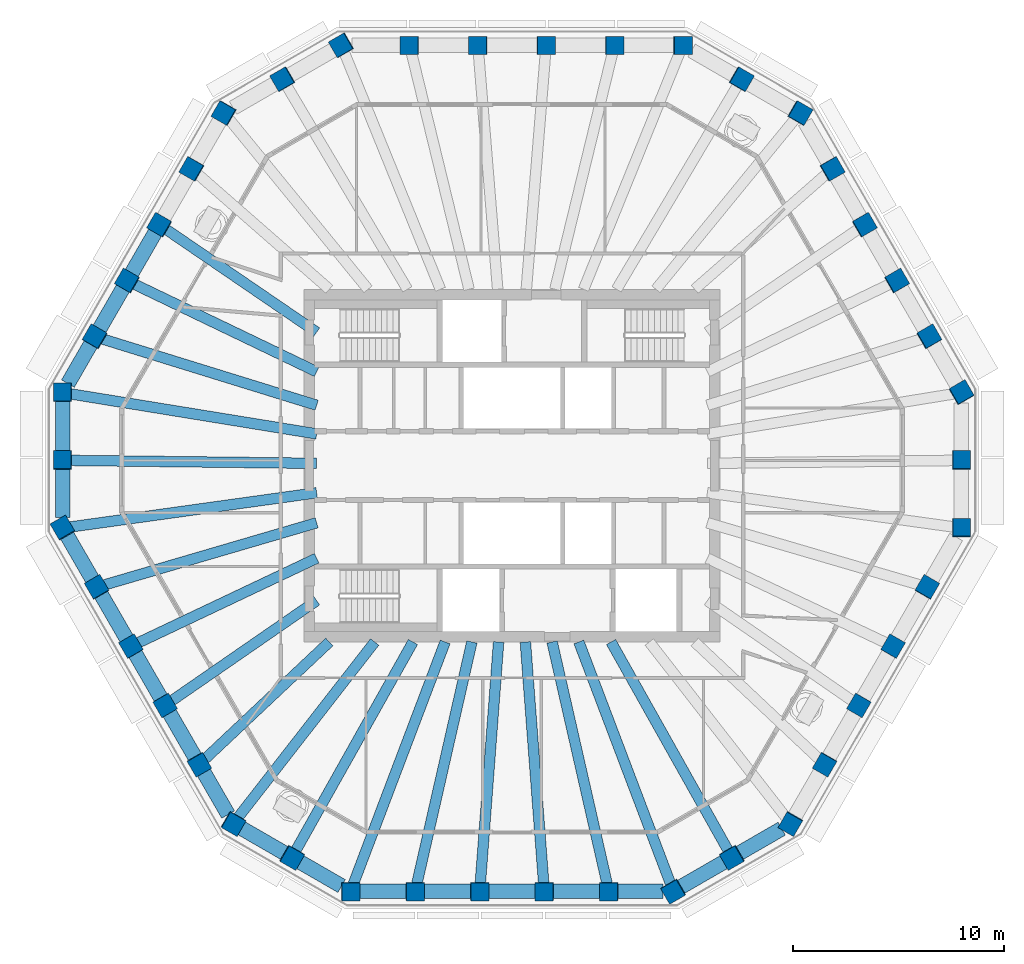
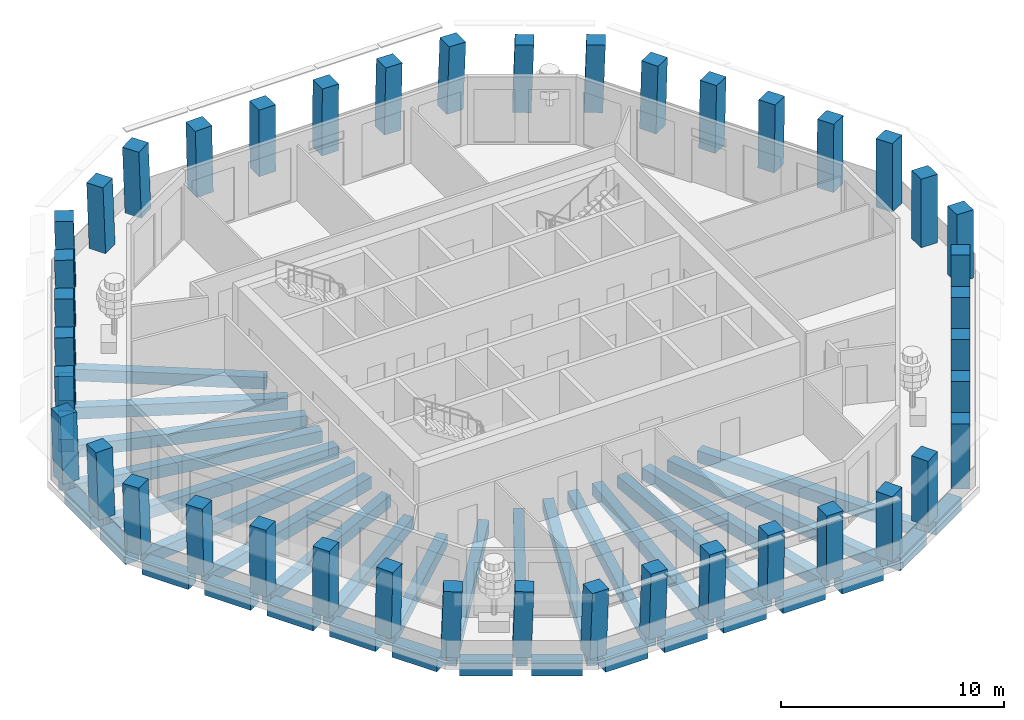
# One storey, part 1 of 11: 42 columns, 38 beams.
"""IFC4 building model written with IfcOpenShell, lengths in metres."""

import ifcopenshell
import ifcopenshell.guid

model = None  # the IFC model being written
_history = None  # IfcOwnerHistory: only IFC2X3 demands one
_inside = {}  # id of a spatial element -> (the spatial element, [elements in it])
_under = {}  # id of a project, library or spatial element -> (it, [spatial elements below it])
_declared = {}  # id of a project -> (the project, [libraries it declares])
_typed = {}  # id of a type object -> (the type object, [elements of that type])
_made_of = {}  # id of a material, layer set ... -> (it, [elements and type objects made of it])


def new_model(schema):
    """Start an empty IFC model of exactly this schema.

    Asked for "IFC4X3", IfcOpenShell would pick the latest addendum, in which some entities
    have other attributes; the version numbers below select the first issue.
    IFC2X3 requires an IfcOwnerHistory on every rooted entity: one is made here for all.
    """
    global model, _history
    if schema == "IFC4X3":
        model = ifcopenshell.file(schema_version=(4, 3, 0, 0))
    else:
        model = ifcopenshell.file(schema=schema)
    _inside.clear()
    _under.clear()
    _declared.clear()
    _typed.clear()
    _made_of.clear()
    _history = None
    if model.schema == "IFC2X3":
        org = make("IfcOrganization", Name="unknown")
        user = make(
            "IfcPersonAndOrganization",
            ThePerson=make("IfcPerson", FamilyName="unknown"),
            TheOrganization=org,
        )
        app = make(
            "IfcApplication",
            ApplicationDeveloper=org,
            Version="unknown",
            ApplicationFullName="unknown",
            ApplicationIdentifier="unknown",
        )
        _history = make(
            "IfcOwnerHistory",
            OwningUser=user,
            OwningApplication=app,
            ChangeAction="ADDED",
            CreationDate=0,
        )
    return model


def make(cls, **values):
    """One entity of the class cls with the attributes given. An attribute that is None is left unset."""
    return model.create_entity(
        cls, **{name: value for name, value in values.items() if value is not None}
    )


def rooted(cls, **values):
    """An entity with a GlobalId (a new one), such as an element, a storey or a relation."""
    return make(cls, GlobalId=ifcopenshell.guid.new(), OwnerHistory=_history, **values)


def si_unit(unit_type, name, prefix=None):
    """IfcSIUnit, for example si_unit("LENGTHUNIT", "METRE", prefix="MILLI")."""
    return make("IfcSIUnit", UnitType=unit_type, Prefix=prefix, Name=name)


def assignment(units):
    """IfcUnitAssignment: the units of a project."""
    return None if units is None else make("IfcUnitAssignment", Units=units)


def point(xyz):
    """IfcCartesianPoint."""
    return None if xyz is None else make("IfcCartesianPoint", Coordinates=xyz)


def direction(xyz):
    """IfcDirection."""
    return None if xyz is None else make("IfcDirection", DirectionRatios=xyz)


def frame(location, z_axis=None, x_axis=None):
    """IfcAxis2Placement3D, a coordinate frame: its origin and axes. An axis left out is left unset."""
    return make(
        "IfcAxis2Placement3D",
        Location=point(location),
        Axis=direction(z_axis),
        RefDirection=direction(x_axis),
    )


def frame_2d(location, x_axis=None):
    """IfcAxis2Placement2D, a coordinate frame in the plane: its origin and x axis."""
    return make(
        "IfcAxis2Placement2D", Location=point(location), RefDirection=direction(x_axis)
    )


def origin():
    """The frame at (0, 0, 0) with its axes left unset."""
    return frame((0.0, 0.0, 0.0))


def origin_2d():
    """The frame at (0, 0) in the plane with its x axis left unset."""
    return frame_2d((0.0, 0.0))


def place(relative_to, where):
    """IfcLocalPlacement: puts the frame where relative to a parent placement (None: the world)."""
    return make(
        "IfcLocalPlacement", PlacementRelTo=relative_to, RelativePlacement=where
    )


def context(
    kind, dimensions, precision=None, world=None, true_north=None, identifier=None
):
    """IfcGeometricRepresentationContext, for example the 3D "Model" context."""
    return make(
        "IfcGeometricRepresentationContext",
        ContextIdentifier=identifier,
        ContextType=kind,
        CoordinateSpaceDimension=dimensions,
        Precision=precision,
        WorldCoordinateSystem=world,
        TrueNorth=true_north,
    )


def subcontext(parent, identifier, kind, view, scale=None):
    """IfcGeometricRepresentationSubContext, for example "Body" below "Model"."""
    return make(
        "IfcGeometricRepresentationSubContext",
        ContextIdentifier=identifier,
        ContextType=kind,
        ParentContext=parent,
        TargetScale=scale,
        TargetView=view,
    )


def project(units=None, contexts=None):
    """IfcProject with its units and contexts."""
    return rooted(
        "IfcProject",
        Name="project",
        RepresentationContexts=contexts,
        UnitsInContext=assignment(units),
    )


def spatial(cls, under=None, at=None, **own):
    """A site, building, storey or space (cls), placed at a placement, below another one or the project."""
    s = rooted(cls, ObjectPlacement=at, **own)
    if under is not None:
        _under.setdefault(under.id(), (under, []))[1].append(s)
    return s


def profile(cls, at=None, kind="AREA", **sizes):
    """A parametric profile (cls). Its sizes go by their IFC names, for example OverallWidth=200.0."""
    return make(cls, ProfileType=kind, Position=at, **sizes)


def rectangle(**sizes):
    """IfcRectangleProfileDef."""
    return profile("IfcRectangleProfileDef", **sizes)


def extrude(swept, where, along, depth):
    """IfcExtrudedAreaSolid: the profile swept, set in the frame where, extruded along a direction by depth."""
    return make(
        "IfcExtrudedAreaSolid",
        SweptArea=swept,
        Position=where,
        ExtrudedDirection=direction(along),
        Depth=depth,
    )


def shape(context_of_items, identifier, shape_type, items):
    """IfcShapeRepresentation: the items that make up one representation, for example the "Body"."""
    return make(
        "IfcShapeRepresentation",
        ContextOfItems=context_of_items,
        RepresentationIdentifier=identifier,
        RepresentationType=shape_type,
        Items=items,
    )


def material(Name=None, Category=None):
    """IfcMaterial."""
    return make("IfcMaterial", Name=Name, Category=Category)


def material_profile(
    of_material, cross_section, Name=None, Category=None, Priority=None
):
    """IfcMaterialProfile: a cross section and its material."""
    return make(
        "IfcMaterialProfile",
        Name=Name,
        Material=of_material,
        Profile=cross_section,
        Priority=Priority,
        Category=Category,
    )


def profile_set(profiles, Name=None, composite=None):
    """IfcMaterialProfileSet."""
    return make(
        "IfcMaterialProfileSet",
        Name=Name,
        MaterialProfiles=profiles,
        CompositeProfile=composite,
    )


def made_of(thing, what):
    """Note that an element or type object is made of a material, layer set ...; save() writes the relation."""
    if what is not None:
        _made_of.setdefault(what.id(), (what, []))[1].append(thing)
    return thing


def type_object(cls, material=None, **own):
    """A type object (cls), such as IfcWallType, which elements share."""
    return made_of(rooted(cls, **own), material)


def element(
    cls,
    number,
    at=None,
    inside=None,
    cuts=None,
    type_object=None,
    material=None,
    context=None,
    identifier="Body",
    shape_type=None,
    held_by="IfcProductDefinitionShape",
    body=None,
    shapes=None,
    **own,
):
    """One element of the class cls, such as IfcWall. Its Tag is "e" and its number.

    at: its placement. inside: the storey or other place that contains it. cuts: it is an
    opening in that element (IfcRelVoidsElement). A single representation is given by context,
    identifier, shape_type and body (its items); several are given by shapes. held_by: the class
    of the entity that holds the representations. save() writes the other relations.
    """
    e = rooted(cls, Tag="e%d" % number, ObjectPlacement=at, **own)
    if body is not None:
        shapes = [shape(context, identifier, shape_type, body)]
    if shapes is not None:
        e.Representation = make(held_by, Representations=shapes)
    if inside is not None:
        _inside.setdefault(inside.id(), (inside, []))[1].append(e)
    if cuts is not None:
        rooted(
            "IfcRelVoidsElement", RelatingBuildingElement=cuts, RelatedOpeningElement=e
        )
    if type_object is not None:
        _typed.setdefault(type_object.id(), (type_object, []))[1].append(e)
    return made_of(e, material)


def aggregate(whole, parts):
    """IfcRelAggregates: a whole, such as a stair, and the parts it consists of."""
    return rooted("IfcRelAggregates", RelatingObject=whole, RelatedObjects=parts)


def save(model, path):
    """Write the relations noted so far, then the file.

    IfcRelAggregates (storeys below a building ...), IfcRelContainedInSpatialStructure (elements
    in a storey), IfcRelDefinesByType, IfcRelAssociatesMaterial and IfcRelDeclares: one each for
    every whole, place, type object, material and project.
    """
    for whole, parts in _under.values():
        aggregate(whole, parts)
    for where, things in _inside.values():
        rooted(
            "IfcRelContainedInSpatialStructure",
            RelatedElements=things,
            RelatingStructure=where,
        )
    for kind, things in _typed.values():
        rooted("IfcRelDefinesByType", RelatedObjects=things, RelatingType=kind)
    for what, things in _made_of.values():
        rooted("IfcRelAssociatesMaterial", RelatedObjects=things, RelatingMaterial=what)
    for by, libraries in _declared.values():
        rooted("IfcRelDeclares", RelatingContext=by, RelatedDefinitions=libraries)
    model.write(path)


model = new_model("IFC4")

# Units and contexts
model_context = context("Model", 3, precision=1e-05, world=origin(), true_north=direction((0.0, 1.0)))
body_context = subcontext(model_context, "Body", "Model", "MODEL_VIEW")
ifc_project = project(units=[si_unit("LENGTHUNIT", "METRE"), si_unit("AREAUNIT", "SQUARE_METRE"), si_unit("VOLUMEUNIT", "CUBIC_METRE"), si_unit("PLANEANGLEUNIT", "RADIAN"), si_unit("MASSUNIT", "GRAM", prefix="KILO")], contexts=[model_context])

# Site, building, storey
site_placement = place(None, origin())
site = spatial("IfcSite", under=ifc_project, at=site_placement, CompositionType="ELEMENT")
building_placement = place(site_placement, origin())
building = spatial("IfcBuilding", under=site, at=building_placement, Name="Frailejon Research Tower", CompositionType="ELEMENT")
storey_placement = place(building_placement, frame((0.0, 0.0, 316.60009765625)))
storey = spatial("IfcBuildingStorey", under=building, at=storey_placement, Name="L70", CompositionType="ELEMENT", Elevation=316.60009765625)

# Columns
ifc_material_1 = material(Name="Concrete C50/60", Category="concrete")
ifc_material_profile_1 = material_profile(ifc_material_1, rectangle(XDim=0.85009765625, YDim=0.85009765625, at=origin_2d()), Name="Column 850")
ifc_profile_set_1 = profile_set([ifc_material_profile_1], Name="Concrete C50/60")
column_type = type_object("IfcColumnType", Name="Column 850", PredefinedType="COLUMN", material=ifc_profile_set_1)
for number, where, z_axis, x_axis, name in (
    (1, (21.272705078125, -2.95458984375, 0.0), (0.018115203871, 0.031350666477, 0.999344272561), (0.000222055062, 0.999508134841, -0.031359832252), "Column C01"),
    (2, (21.272705078125, 0.25146484375, 0.0), (0.018115165867, 0.031417446337, 0.999342176049), (-0.000700571395, 0.999506341588, -0.031409908073), "Column C02"),
    (3, (21.272705078125, 3.45751953125, 0.0), (0.018115165867, 0.031417446337, 0.999342176049), (-0.500524543364, 0.865532325635, -0.018137661659), "Column C03"),
):
    element("IfcColumn", number, at=place(storey_placement, frame(where, z_axis=z_axis, x_axis=x_axis)), inside=storey, type_object=column_type, Name=name, PredefinedType="COLUMN", context=body_context, shape_type="SweptSolid", body=[
        extrude(rectangle(XDim=0.85009765625, YDim=0.85009765625, at=origin_2d()), origin(), (0.0, 0.0, 1.0), 3.65234375),
    ])
column_1_placement = place(storey_placement, frame((19.744384765625, 6.104736328125, 0.0), z_axis=(0.021727128018, 0.025136615799, 0.999447888814), x_axis=(-0.500914849261, 0.865428226672, -0.010876500817)))
element("IfcColumn", 4, at=column_1_placement, inside=storey, type_object=column_type, Name="Column C04", PredefinedType="COLUMN", context=body_context, shape_type="SweptSolid", body=[
    extrude(rectangle(XDim=0.85009765625, YDim=0.85009765625, at=origin_2d()), origin(), (0.0, 0.0, 1.0), 3.65185546875),
])
for number, where, z_axis, x_axis, name in (
    (5, (18.2158203125, 8.752197265625, 0.0), (0.025405368728, 0.018786601612, 0.999500690765), (-0.498611651915, 0.866817929973, -0.00361895723), "Column C05"),
    (6, (16.6875, 11.3994140625, 0.0), (0.028948783264, 0.012568986729, 0.999501870193), (-0.50120484021, 0.865321036295, 0.003634872307), "Column C06"),
):
    element("IfcColumn", number, at=place(storey_placement, frame(where, z_axis=z_axis, x_axis=x_axis)), inside=storey, type_object=column_type, Name=name, PredefinedType="COLUMN", context=body_context, shape_type="SweptSolid", body=[
        extrude(rectangle(XDim=0.85009765625, YDim=0.85009765625, at=origin_2d()), origin(), (0.0, 0.0, 1.0), 3.651611328125),
    ])
column_2_placement = place(storey_placement, frame((15.158935546875, 14.046630859375, 0.0), z_axis=(0.032690901241, 0.006284140525, 0.999445753682), x_axis=(-0.499067468476, 0.866494880827, 0.010875817611)))
element("IfcColumn", 7, at=column_2_placement, inside=storey, type_object=column_type, Name="Column C07", PredefinedType="COLUMN", context=body_context, shape_type="SweptSolid", body=[
    extrude(rectangle(XDim=0.85009765625, YDim=0.85009765625, at=origin_2d()), origin(), (0.0, 0.0, 1.0), 3.65185546875),
])
for number, where, z_axis, x_axis, name in (
    (8, (13.630615234375, 16.69384765625, 0.0), (0.036297136169, 0.0, 0.99934104184), (-0.865312543657, 0.500246354177, 0.031429077673), "Column C08"),
    (9, (10.85400390625, 18.297119140625, 0.0), (0.036297136169, 0.0, 0.99934104184), (-0.865312543657, 0.500246354177, 0.031429077673), "Column C09"),
    (10, (8.077392578125, 19.89990234375, 0.0), (0.036297136169, 0.0, 0.99934104184), (-0.99934104184, 0.0, 0.036297136169), "Column C10"),
):
    element("IfcColumn", number, at=place(storey_placement, frame(where, z_axis=z_axis, x_axis=x_axis)), inside=storey, type_object=column_type, Name=name, PredefinedType="COLUMN", context=body_context, shape_type="SweptSolid", body=[
        extrude(rectangle(XDim=0.85009765625, YDim=0.85009765625, at=origin_2d()), origin(), (0.0, 0.0, 1.0), 3.65234375),
    ])
column_3_placement = place(storey_placement, frame((4.846435546875, 19.89990234375, 0.0), z_axis=(0.021800837506, 0.0, 0.999762333499), x_axis=(-0.999762333499, 0.0, 0.021800837506)))
element("IfcColumn", 11, at=column_3_placement, inside=storey, type_object=column_type, Name="Column C11", PredefinedType="COLUMN", context=body_context, shape_type="SweptSolid", body=[
    extrude(rectangle(XDim=0.85009765625, YDim=0.85009765625, at=origin_2d()), origin(), (0.0, 0.0, 1.0), 3.65087890625),
])
for number, where, z_axis, x_axis, name in (
    (12, (1.615478515625, 19.89990234375, 0.0), (0.00729077612, 0.0, 0.999973421939), (-0.999973421939, 0.0, 0.00729077612), "Column C12"),
    (13, (-1.615478515625, 19.89990234375, 0.0), (-0.00729077612, 0.0, 0.999973421939), (-0.999973421939, 0.0, -0.00729077612), "Column C13"),
):
    element("IfcColumn", number, at=place(storey_placement, frame(where, z_axis=z_axis, x_axis=x_axis)), inside=storey, type_object=column_type, Name=name, PredefinedType="COLUMN", context=body_context, shape_type="SweptSolid", body=[
        extrude(rectangle(XDim=0.85009765625, YDim=0.85009765625, at=origin_2d()), origin(), (0.0, 0.0, 1.0), 3.64990234375),
    ])
column_4_placement = place(storey_placement, frame((-4.846435546875, 19.89990234375, 0.0), z_axis=(-0.021800837506, 0.0, 0.999762333499), x_axis=(-0.999762333499, 0.0, -0.021800837506)))
element("IfcColumn", 14, at=column_4_placement, inside=storey, type_object=column_type, Name="Column C14", PredefinedType="COLUMN", context=body_context, shape_type="SweptSolid", body=[
    extrude(rectangle(XDim=0.85009765625, YDim=0.85009765625, at=origin_2d()), origin(), (0.0, 0.0, 1.0), 3.65087890625),
])
for number, where, z_axis, x_axis, name in (
    (15, (-8.077392578125, 19.89990234375, 0.0), (-0.036297136169, 0.0, 0.99934104184), (-0.865312543657, -0.500246354177, -0.031429077673), "Column C15"),
    (16, (-10.85400390625, 18.297119140625, 0.0), (-0.036297136169, 0.0, 0.99934104184), (-0.865312543657, -0.500246354177, -0.031429077673), "Column C16"),
    (17, (-13.630615234375, 16.69384765625, 0.0), (-0.036297136169, 0.0, 0.99934104184), (-0.49942428864, -0.866167613071, -0.018139624664), "Column C17"),
):
    element("IfcColumn", number, at=place(storey_placement, frame(where, z_axis=z_axis, x_axis=x_axis)), inside=storey, type_object=column_type, Name=name, PredefinedType="COLUMN", context=body_context, shape_type="SweptSolid", body=[
        extrude(rectangle(XDim=0.85009765625, YDim=0.85009765625, at=origin_2d()), origin(), (0.0, 0.0, 1.0), 3.65234375),
    ])
column_5_placement = place(storey_placement, frame((-15.158935546875, 14.046630859375, 0.0), z_axis=(-0.032690901241, 0.006284140525, 0.999445753682), x_axis=(-0.499067468476, -0.866494880827, -0.010875817611)))
element("IfcColumn", 18, at=column_5_placement, inside=storey, type_object=column_type, Name="Column C18", PredefinedType="COLUMN", context=body_context, shape_type="SweptSolid", body=[
    extrude(rectangle(XDim=0.85009765625, YDim=0.85009765625, at=origin_2d()), origin(), (0.0, 0.0, 1.0), 3.65185546875),
])
for number, where, z_axis, x_axis, name in (
    (19, (-16.6875, 11.3994140625, 0.0), (-0.028948783264, 0.012568986729, 0.999501870193), (-0.50120484021, -0.865321036295, -0.003634872307), "Column C19"),
    (20, (-18.2158203125, 8.752197265625, 0.0), (-0.025405368728, 0.018786601612, 0.999500690765), (-0.498611651915, -0.866817929973, 0.00361895723), "Column C20"),
):
    element("IfcColumn", number, at=place(storey_placement, frame(where, z_axis=z_axis, x_axis=x_axis)), inside=storey, type_object=column_type, Name=name, PredefinedType="COLUMN", context=body_context, shape_type="SweptSolid", body=[
        extrude(rectangle(XDim=0.85009765625, YDim=0.85009765625, at=origin_2d()), origin(), (0.0, 0.0, 1.0), 3.651611328125),
    ])
column_6_placement = place(storey_placement, frame((-19.744384765625, 6.104736328125, 0.0), z_axis=(-0.021727128018, 0.025136615799, 0.999447888814), x_axis=(-0.500914849261, -0.865428226672, 0.010876500817)))
element("IfcColumn", 21, at=column_6_placement, inside=storey, type_object=column_type, Name="Column C21", PredefinedType="COLUMN", context=body_context, shape_type="SweptSolid", body=[
    extrude(rectangle(XDim=0.85009765625, YDim=0.85009765625, at=origin_2d()), origin(), (0.0, 0.0, 1.0), 3.65185546875),
])
for number, where, z_axis, x_axis, name in (
    (22, (-21.272705078125, 3.45751953125, 0.0), (-0.018115165867, 0.031417446337, 0.999342176049), (-0.000700571395, -0.999506341588, 0.031409908073), "Column C22"),
    (23, (-21.272705078125, 0.25146484375, 0.0), (-0.018115165867, 0.031417446337, 0.999342176049), (-0.000700571395, -0.999506341588, 0.031409908073), "Column C23"),
    (24, (-21.272705078125, -2.95458984375, 0.0), (-0.018115203871, 0.031350666477, 0.999344272561), (0.500358039071, -0.865061158582, 0.036208074379), "Column C24"),
):
    element("IfcColumn", number, at=place(storey_placement, frame(where, z_axis=z_axis, x_axis=x_axis)), inside=storey, type_object=column_type, Name=name, PredefinedType="COLUMN", context=body_context, shape_type="SweptSolid", body=[
        extrude(rectangle(XDim=0.85009765625, YDim=0.85009765625, at=origin_2d()), origin(), (0.0, 0.0, 1.0), 3.65234375),
    ])
column_7_placement = place(storey_placement, frame((-19.6572265625, -5.752685546875, 0.0), z_axis=(-0.010900436936, 0.018791550792, 0.999764001199), x_axis=(0.501923504145, -0.864639146771, 0.021724222837)))
element("IfcColumn", 25, at=column_7_placement, inside=storey, type_object=column_type, Name="Column C25", PredefinedType="COLUMN", context=body_context, shape_type="SweptSolid", body=[
    extrude(rectangle(XDim=0.85009765625, YDim=0.85009765625, at=origin_2d()), origin(), (0.0, 0.0, 1.0), 3.65087890625),
])
for number, where, z_axis, x_axis, name in (
    (26, (-18.041748046875, -8.55078125, 0.0), (-0.003611946686, 0.006220574848, 0.99997412881), (0.501902146393, -0.864894498618, 0.007193170855), "Column C26"),
    (27, (-16.42626953125, -11.34912109375, 0.0), (0.003678832152, -0.006287458586, 0.999973466677), (0.502203462203, -0.864718808148, -0.007284599223), "Column C27"),
):
    element("IfcColumn", number, at=place(storey_placement, frame(where, z_axis=z_axis, x_axis=x_axis)), inside=storey, type_object=column_type, Name=name, PredefinedType="COLUMN", context=body_context, shape_type="SweptSolid", body=[
        extrude(rectangle(XDim=0.85009765625, YDim=0.85009765625, at=origin_2d()), origin(), (0.0, 0.0, 1.0), 3.64990234375),
    ])
column_8_placement = place(storey_placement, frame((-14.810546875, -14.147216796875, 0.0), z_axis=(0.010833557325, -0.018858414602, 0.999763469144), x_axis=(0.498285075857, -0.866740432575, -0.0217486946)))
element("IfcColumn", 28, at=column_8_placement, inside=storey, type_object=column_type, Name="Column C28", PredefinedType="COLUMN", context=body_context, shape_type="SweptSolid", body=[
    extrude(rectangle(XDim=0.85009765625, YDim=0.85009765625, at=origin_2d()), origin(), (0.0, 0.0, 1.0), 3.65087890625),
])
for number, where, z_axis, x_axis, name in (
    (29, (-13.195068359375, -16.9453125, 0.0), (0.018115165867, -0.031417446337, 0.999342176049), (0.865818316477, -0.499372659284, -0.031394107935), "Column C29"),
    (30, (-10.418701171875, -18.54833984375, 0.0), (0.01818198944, -0.031417408223, 0.999340963696), (0.866315547306, -0.498507056319, -0.031433855875), "Column C30"),
    (31, (-7.64208984375, -20.1513671875, 0.0), (0.018115165867, -0.031417446337, 0.999342176049), (0.999835642796, -0.000157281862, -0.01812905563), "Column C31"),
):
    element("IfcColumn", number, at=place(storey_placement, frame(where, z_axis=z_axis, x_axis=x_axis)), inside=storey, type_object=column_type, Name=name, PredefinedType="COLUMN", context=body_context, shape_type="SweptSolid", body=[
        extrude(rectangle(XDim=0.85009765625, YDim=0.85009765625, at=origin_2d()), origin(), (0.0, 0.0, 1.0), 3.65234375),
    ])
column_9_placement = place(storey_placement, frame((-4.585205078125, -20.1513671875, 0.0), z_axis=(0.010896978963, -0.031420736888, 0.99944684358), x_axis=(0.99994040428, 0.001008258557, -0.0108706625)))
element("IfcColumn", 32, at=column_9_placement, inside=storey, type_object=column_type, Name="Column C32", PredefinedType="COLUMN", context=body_context, shape_type="SweptSolid", body=[
    extrude(rectangle(XDim=0.85009765625, YDim=0.85009765625, at=origin_2d()), origin(), (0.0, 0.0, 1.0), 3.65185546875),
])
for number, where, z_axis, x_axis, name in (
    (33, (-1.5283203125, -20.1513671875, 0.0), (0.003610232938, -0.031422397791, 0.999499674405), (0.999993379572, -0.000341341874, -0.00362274737), "Column C33"),
    (34, (1.5283203125, -20.1513671875, 0.0), (-0.003610232938, -0.031422397791, 0.999499674405), (0.999993379572, 0.000341341874, 0.00362274737), "Column C34"),
):
    element("IfcColumn", number, at=place(storey_placement, frame(where, z_axis=z_axis, x_axis=x_axis)), inside=storey, type_object=column_type, Name=name, PredefinedType="COLUMN", context=body_context, shape_type="SweptSolid", body=[
        extrude(rectangle(XDim=0.85009765625, YDim=0.85009765625, at=origin_2d()), origin(), (0.0, 0.0, 1.0), 3.651611328125),
    ])
column_10_placement = place(storey_placement, frame((4.585205078125, -20.1513671875, 0.0), z_axis=(-0.010896978963, -0.031420736888, 0.99944684358), x_axis=(0.99994040428, -0.001008258557, 0.0108706625)))
element("IfcColumn", 35, at=column_10_placement, inside=storey, type_object=column_type, Name="Column C35", PredefinedType="COLUMN", context=body_context, shape_type="SweptSolid", body=[
    extrude(rectangle(XDim=0.85009765625, YDim=0.85009765625, at=origin_2d()), origin(), (0.0, 0.0, 1.0), 3.65185546875),
])
for number, where, z_axis, x_axis, name in (
    (36, (7.64208984375, -20.1513671875, 0.0), (-0.018115165867, -0.031417446337, 0.999342176049), (0.865519692755, 0.499889378995, 0.031404939456), "Column C36"),
    (37, (10.418701171875, -18.54833984375, 0.0), (-0.01818198944, -0.031417408223, 0.999340963696), (0.866315547306, 0.498507056319, 0.031433855875), "Column C37"),
    (38, (13.195068359375, -16.9453125, 0.0), (-0.018115165867, -0.031417446337, 0.999342176049), (0.499559043097, 0.865520391176, 0.036265891942), "Column C38"),
):
    element("IfcColumn", number, at=place(storey_placement, frame(where, z_axis=z_axis, x_axis=x_axis)), inside=storey, type_object=column_type, Name=name, PredefinedType="COLUMN", context=body_context, shape_type="SweptSolid", body=[
        extrude(rectangle(XDim=0.85009765625, YDim=0.85009765625, at=origin_2d()), origin(), (0.0, 0.0, 1.0), 3.65234375),
    ])
column_11_placement = place(storey_placement, frame((14.810546875, -14.147216796875, 0.0), z_axis=(-0.010833557325, -0.018858414602, 0.999763469144), x_axis=(0.498285075857, 0.866740432575, 0.0217486946)))
element("IfcColumn", 39, at=column_11_placement, inside=storey, type_object=column_type, Name="Column C39", PredefinedType="COLUMN", context=body_context, shape_type="SweptSolid", body=[
    extrude(rectangle(XDim=0.85009765625, YDim=0.85009765625, at=origin_2d()), origin(), (0.0, 0.0, 1.0), 3.65087890625),
])
for number, where, z_axis, x_axis, name in (
    (40, (16.42626953125, -11.34912109375, 0.0), (-0.003678832152, -0.006287458586, 0.999973466677), (0.502203462203, 0.864718808148, 0.007284599223), "Column C40"),
    (41, (18.041748046875, -8.55078125, 0.0), (0.003611946686, 0.006220574848, 0.99997412881), (0.501902146393, 0.864894498618, -0.007193170855), "Column C41"),
):
    element("IfcColumn", number, at=place(storey_placement, frame(where, z_axis=z_axis, x_axis=x_axis)), inside=storey, type_object=column_type, Name=name, PredefinedType="COLUMN", context=body_context, shape_type="SweptSolid", body=[
        extrude(rectangle(XDim=0.85009765625, YDim=0.85009765625, at=origin_2d()), origin(), (0.0, 0.0, 1.0), 3.64990234375),
    ])
column_12_placement = place(storey_placement, frame((19.6572265625, -5.752685546875, 0.0), z_axis=(0.010900436936, 0.018791550792, 0.999764001199), x_axis=(0.501923504145, 0.864639146771, -0.021724222837)))
element("IfcColumn", 42, at=column_12_placement, inside=storey, type_object=column_type, Name="Column C42", PredefinedType="COLUMN", context=body_context, shape_type="SweptSolid", body=[
    extrude(rectangle(XDim=0.85009765625, YDim=0.85009765625, at=origin_2d()), origin(), (0.0, 0.0, 1.0), 3.65087890625),
])

# Beams
ifc_material_2 = material(Name="Concrete C60/75", Category="concrete")
ifc_material_profile_2 = material_profile(ifc_material_2, rectangle(XDim=0.5, YDim=0.64990234375, at=origin_2d()), Name="Girder 500x650")
ifc_profile_set_2 = profile_set([ifc_material_profile_2], Name="Concrete C60/75")
beam_type_1 = type_object("IfcBeamType", Name="Girder 500x650", PredefinedType="BEAM", material=ifc_profile_set_2)
beam_1_placement = place(storey_placement, frame((-16.459228515625, 11.24365234375, -0.625), z_axis=(0.825724742049, -0.564073266843, 0.0), x_axis=(0.564073266843, 0.825724742049, 0.0)))
element("IfcBeam", 43, at=beam_1_placement, inside=storey, type_object=beam_type_1, Name="Girder 500x650", PredefinedType="BEAM", context=body_context, shape_type="SweptSolid", body=[
    extrude(rectangle(XDim=0.5, YDim=0.64990234375, at=origin_2d()), origin(), (0.0, 0.0, 1.0), 8.730712890625),
])
beam_2_placement = place(storey_placement, frame((-17.966796875, 8.632568359375, -0.625), z_axis=(0.901354775535, -0.433081480347, 0.0), x_axis=(0.433081480347, 0.901354775535, 0.0)))
element("IfcBeam", 44, at=beam_2_placement, inside=storey, type_object=beam_type_1, Name="Girder 500x650", PredefinedType="BEAM", context=body_context, shape_type="SweptSolid", body=[
    extrude(rectangle(XDim=0.5, YDim=0.64990234375, at=origin_2d()), origin(), (0.0, 0.0, 1.0), 9.670654296875),
])
beam_3_placement = place(storey_placement, frame((-19.47119140625, 6.0205078125, -0.625), z_axis=(0.955373020039, -0.295402086285, 0.0), x_axis=(0.295402086285, 0.955373020039, 0.0)))
element("IfcBeam", 45, at=beam_3_placement, inside=storey, type_object=beam_type_1, Name="Girder 500x650", PredefinedType="BEAM", context=body_context, shape_type="SweptSolid", body=[
    extrude(rectangle(XDim=0.5, YDim=0.64990234375, at=origin_2d()), origin(), (0.0, 0.0, 1.0), 10.69873046875),
])
beam_4_placement = place(storey_placement, frame((-20.995849609375, 3.41259765625, -0.625), z_axis=(0.98704635948, -0.16043529611, 0.0), x_axis=(0.16043529611, 0.98704635948, 0.0)))
element("IfcBeam", 46, at=beam_4_placement, inside=storey, type_object=beam_type_1, Name="Girder 500x650", PredefinedType="BEAM", context=body_context, shape_type="SweptSolid", body=[
    extrude(rectangle(XDim=0.5, YDim=0.64990234375, at=origin_2d()), origin(), (0.0, 0.0, 1.0), 11.89990234375),
])
beam_5_placement = place(storey_placement, frame((-20.997802734375, 0.248046875, -0.625), z_axis=(0.999930339256, -0.011803246799, 0.0), x_axis=(0.011803246799, 0.999930339256, 0.0)))
element("IfcBeam", 47, at=beam_5_placement, inside=storey, type_object=beam_type_1, Name="Girder 500x650", PredefinedType="BEAM", context=body_context, shape_type="SweptSolid", body=[
    extrude(rectangle(XDim=0.5, YDim=0.64990234375, at=origin_2d()), origin(), (0.0, 0.0, 1.0), 11.74853515625),
])
beam_6_placement = place(storey_placement, frame((-20.967041015625, -2.912109375, -0.625), z_axis=(0.990494225984, 0.137554310341, 0.0), x_axis=(-0.137554310341, 0.990494225984, 0.0)))
element("IfcBeam", 48, at=beam_6_placement, inside=storey, type_object=beam_type_1, Name="Girder 500x650", PredefinedType="BEAM", context=body_context, shape_type="SweptSolid", body=[
    extrude(rectangle(XDim=0.5, YDim=0.64990234375, at=origin_2d()), origin(), (0.0, 0.0, 1.0), 11.82958984375),
])
beam_7_placement = place(storey_placement, frame((-19.38134765625, -5.672119140625, -0.625), z_axis=(0.959742121067, 0.280882646401, 0.0), x_axis=(-0.280882646401, 0.959742121067, 0.0)))
element("IfcBeam", 49, at=beam_7_placement, inside=storey, type_object=beam_type_1, Name="Girder 500x650", PredefinedType="BEAM", context=body_context, shape_type="SweptSolid", body=[
    extrude(rectangle(XDim=0.5, YDim=0.64990234375, at=origin_2d()), origin(), (0.0, 0.0, 1.0), 10.556396484375),
])
beam_8_placement = place(storey_placement, frame((-17.7919921875, -8.4326171875, -0.625), z_axis=(0.903640525477, 0.428291723848, 0.0), x_axis=(-0.428291723848, 0.903640525477, 0.0)))
element("IfcBeam", 50, at=beam_8_placement, inside=storey, type_object=beam_type_1, Name="Girder 500x650", PredefinedType="BEAM", context=body_context, shape_type="SweptSolid", body=[
    extrude(rectangle(XDim=0.5, YDim=0.64990234375, at=origin_2d()), origin(), (0.0, 0.0, 1.0), 9.452880859375),
])
beam_9_placement = place(storey_placement, frame((-16.19873046875, -11.19189453125, -0.625), z_axis=(0.822739186552, 0.568419062763, 0.0), x_axis=(-0.568419062763, 0.822739186552, 0.0)))
element("IfcBeam", 51, at=beam_9_placement, inside=storey, type_object=beam_type_1, Name="Girder 500x650", PredefinedType="BEAM", context=body_context, shape_type="SweptSolid", body=[
    extrude(rectangle(XDim=0.5, YDim=0.64990234375, at=origin_2d()), origin(), (0.0, 0.0, 1.0), 8.44580078125),
])
beam_10_placement = place(storey_placement, frame((-14.601806640625, -13.95068359375, -0.625), z_axis=(0.728273656927, 0.685286422327, 0.0), x_axis=(-0.685286422327, 0.728273656927, 0.0)))
element("IfcBeam", 52, at=beam_10_placement, inside=storey, type_object=beam_type_1, Name="Girder 500x650", PredefinedType="BEAM", context=body_context, shape_type="SweptSolid", body=[
    extrude(rectangle(XDim=0.5, YDim=0.64990234375, at=origin_2d()), origin(), (0.0, 0.0, 1.0), 8.172607421875),
])
beam_11_placement = place(storey_placement, frame((-13.023681640625, -16.72509765625, -0.625), z_axis=(0.614400687372, 0.788994166871, 0.0), x_axis=(-0.788994166871, 0.614400687372, 0.0)))
element("IfcBeam", 53, at=beam_11_placement, inside=storey, type_object=beam_type_1, Name="Girder 500x650", PredefinedType="BEAM", context=body_context, shape_type="SweptSolid", body=[
    extrude(rectangle(XDim=0.5, YDim=0.64990234375, at=origin_2d()), origin(), (0.0, 0.0, 1.0), 10.61474609375),
])
beam_12_placement = place(storey_placement, frame((-10.283935546875, -18.30859375, -0.625), z_axis=(0.489735474153, 0.871871071522, 0.0), x_axis=(-0.871871071522, 0.489735474153, 0.0)))
element("IfcBeam", 54, at=beam_12_placement, inside=storey, type_object=beam_type_1, Name="Girder 500x650", PredefinedType="BEAM", context=body_context, shape_type="SweptSolid", body=[
    extrude(rectangle(XDim=0.5, YDim=0.64990234375, at=origin_2d()), origin(), (0.0, 0.0, 1.0), 11.421875),
])
beam_13_placement = place(storey_placement, frame((-7.5341796875, -19.86669921875, -0.625), z_axis=(0.354605236398, 0.935016110192, 0.0), x_axis=(-0.935016110192, 0.354605236398, 0.0)))
element("IfcBeam", 55, at=beam_13_placement, inside=storey, type_object=beam_type_1, Name="Girder 500x650", PredefinedType="BEAM", context=body_context, shape_type="SweptSolid", body=[
    extrude(rectangle(XDim=0.5, YDim=0.64990234375, at=origin_2d()), origin(), (0.0, 0.0, 1.0), 12.31689453125),
])
beam_14_placement = place(storey_placement, frame((-4.521728515625, -19.872802734375, -0.625), z_axis=(0.221864873396, 0.975077421517, 0.0), x_axis=(-0.975077421517, 0.221864873396, 0.0)))
element("IfcBeam", 56, at=beam_14_placement, inside=storey, type_object=beam_type_1, Name="Girder 500x650", PredefinedType="BEAM", context=body_context, shape_type="SweptSolid", body=[
    extrude(rectangle(XDim=0.5, YDim=0.64990234375, at=origin_2d()), origin(), (0.0, 0.0, 1.0), 11.817138671875),
])
for number, where, z_axis, x_axis, name in (
    (57, (-1.507568359375, -19.8759765625, -0.625), (0.075635297577, 0.997135548339, 0.0), (-0.997135548339, 0.075635297577, 0.0), "Girder 500x650"),
    (58, (1.507568359375, -19.8759765625, -0.625), (-0.075635297577, 0.997135548339, 0.0), (-0.997135548339, -0.075635297577, 0.0), "Girder 500x650"),
):
    element("IfcBeam", number, at=place(storey_placement, frame(where, z_axis=z_axis, x_axis=x_axis)), inside=storey, type_object=beam_type_1, Name=name, PredefinedType="BEAM", context=body_context, shape_type="SweptSolid", body=[
        extrude(rectangle(XDim=0.5, YDim=0.64990234375, at=origin_2d()), origin(), (0.0, 0.0, 1.0), 11.55908203125),
    ])
beam_15_placement = place(storey_placement, frame((4.521728515625, -19.872802734375, -0.625), z_axis=(-0.221864873396, 0.975077421517, 0.0), x_axis=(-0.975077421517, -0.221864873396, 0.0)))
element("IfcBeam", 59, at=beam_15_placement, inside=storey, type_object=beam_type_1, Name="Girder 500x650", PredefinedType="BEAM", context=body_context, shape_type="SweptSolid", body=[
    extrude(rectangle(XDim=0.5, YDim=0.64990234375, at=origin_2d()), origin(), (0.0, 0.0, 1.0), 11.817138671875),
])
beam_16_placement = place(storey_placement, frame((7.54248046875, -19.88916015625, -0.625), z_axis=(-0.354589825546, 0.935021954619, 0.0), x_axis=(-0.935021954619, -0.354589825546, 0.0)))
element("IfcBeam", 60, at=beam_16_placement, inside=storey, type_object=beam_type_1, Name="Girder 500x650", PredefinedType="BEAM", context=body_context, shape_type="SweptSolid", body=[
    extrude(rectangle(XDim=0.5, YDim=0.64990234375, at=origin_2d()), origin(), (0.0, 0.0, 1.0), 12.341064453125),
])
beam_17_placement = place(storey_placement, frame((10.283935546875, -18.30859375, -0.625), z_axis=(-0.489735474153, 0.871871071522, 0.0), x_axis=(-0.871871071522, -0.489735474153, 0.0)))
element("IfcBeam", 61, at=beam_17_placement, inside=storey, type_object=beam_type_1, Name="Girder 500x650", PredefinedType="BEAM", context=body_context, shape_type="SweptSolid", body=[
    extrude(rectangle(XDim=0.5, YDim=0.64990234375, at=origin_2d()), origin(), (0.0, 0.0, 1.0), 11.421875),
])
ifc_material_3 = material(Name="Concrete C60/75", Category="concrete")
ifc_material_profile_3 = material_profile(ifc_material_3, rectangle(XDim=0.699951171875, YDim=0.699951171875, at=origin_2d()), Name="Spandrel 700x700")
ifc_profile_set_3 = profile_set([ifc_material_profile_3], Name="Concrete C60/75")
beam_type_2 = type_object("IfcBeamType", Name="Spandrel 700x700", PredefinedType="BEAM", material=ifc_profile_set_3)
for number, where, z_axis, x_axis, name in (
    (62, (-16.89990234375, 11.03125, -0.7001953125), (-0.50004165882, -0.866001350717, 0.0), (0.866001350717, -0.50004165882, 0.0), "Spandrel 700x700"),
    (63, (-18.42822265625, 8.384033203125, -0.7001953125), (-0.50004165882, -0.866001350717, 0.0), (0.866001350717, -0.50004165882, 0.0), "Spandrel 700x700"),
):
    element("IfcBeam", number, at=place(storey_placement, frame(where, z_axis=z_axis, x_axis=x_axis)), inside=storey, type_object=beam_type_2, Name=name, PredefinedType="BEAM", context=body_context, shape_type="SweptSolid", body=[
        extrude(rectangle(XDim=0.699951171875, YDim=0.699951171875, at=origin_2d()), origin(), (0.0, 0.0, 1.0), 2.206787109375),
    ])
beam_18_placement = place(storey_placement, frame((-19.956787109375, 5.73681640625, -0.7001953125), z_axis=(-0.500002112793, -0.866024183959, 0.0), x_axis=(0.866024183959, -0.500002112793, 0.0)))
element("IfcBeam", 64, at=beam_18_placement, inside=storey, type_object=beam_type_2, Name="Spandrel 700x700", PredefinedType="BEAM", context=body_context, shape_type="SweptSolid", body=[
    extrude(rectangle(XDim=0.699951171875, YDim=0.699951171875, at=origin_2d()), origin(), (0.0, 0.0, 1.0), 2.14111328125),
])
beam_19_placement = place(storey_placement, frame((-21.272705078125, 3.032470703125, -0.7001953125), z_axis=(0.0, -1.0, 0.0), x_axis=(1.0, 0.0, 0.0)))
element("IfcBeam", 65, at=beam_19_placement, inside=storey, type_object=beam_type_2, Name="Spandrel 700x700", PredefinedType="BEAM", context=body_context, shape_type="SweptSolid", body=[
    extrude(rectangle(XDim=0.699951171875, YDim=0.699951171875, at=origin_2d()), origin(), (0.0, 0.0, 1.0), 2.35595703125),
])
beam_20_placement = place(storey_placement, frame((-21.272705078125, -0.173583984375, -0.7001953125), z_axis=(0.0, -1.0, 0.0), x_axis=(1.0, 0.0, 0.0)))
element("IfcBeam", 66, at=beam_20_placement, inside=storey, type_object=beam_type_2, Name="Spandrel 700x700", PredefinedType="BEAM", context=body_context, shape_type="SweptSolid", body=[
    extrude(rectangle(XDim=0.699951171875, YDim=0.699951171875, at=origin_2d()), origin(), (0.0, 0.0, 1.0), 2.29052734375),
])
beam_21_placement = place(storey_placement, frame((-21.060302734375, -3.32275390625, -0.7001953125), z_axis=(0.500053800171, -0.865994340013, 0.0), x_axis=(0.865994340013, 0.500053800171, 0.0)))
element("IfcBeam", 67, at=beam_21_placement, inside=storey, type_object=beam_type_2, Name="Spandrel 700x700", PredefinedType="BEAM", context=body_context, shape_type="SweptSolid", body=[
    extrude(rectangle(XDim=0.699951171875, YDim=0.699951171875, at=origin_2d()), origin(), (0.0, 0.0, 1.0), 2.381103515625),
])
for number, where, z_axis, x_axis, name in (
    (68, (-19.444580078125, -6.120849609375, -0.7001953125), (0.499976899968, -0.866038740183, 0.0), (0.866038740183, 0.499976899968, 0.0), "Spandrel 700x700"),
    (69, (-17.8291015625, -8.9189453125, -0.7001953125), (0.499976899968, -0.866038740183, 0.0), (0.866038740183, 0.499976899968, 0.0), "Spandrel 700x700"),
    (70, (-16.213623046875, -11.71728515625, -0.7001953125), (0.500021302286, -0.866013104554, 0.0), (0.866013104554, 0.500021302286, 0.0), "Spandrel 700x700"),
):
    element("IfcBeam", number, at=place(storey_placement, frame(where, z_axis=z_axis, x_axis=x_axis)), inside=storey, type_object=beam_type_2, Name=name, PredefinedType="BEAM", context=body_context, shape_type="SweptSolid", body=[
        extrude(rectangle(XDim=0.699951171875, YDim=0.699951171875, at=origin_2d()), origin(), (0.0, 0.0, 1.0), 2.380859375),
    ])
beam_22_placement = place(storey_placement, frame((-14.59814453125, -14.515380859375, -0.7001953125), z_axis=(0.50006323864, -0.86598888986, 0.0), x_axis=(0.86598888986, 0.50006323864, 0.0)))
element("IfcBeam", 71, at=beam_22_placement, inside=storey, type_object=beam_type_2, Name="Spandrel 700x700", PredefinedType="BEAM", context=body_context, shape_type="SweptSolid", body=[
    extrude(rectangle(XDim=0.699951171875, YDim=0.699951171875, at=origin_2d()), origin(), (0.0, 0.0, 1.0), 2.315185546875),
])
beam_23_placement = place(storey_placement, frame((-12.826904296875, -17.15771484375, -0.7001953125), z_axis=(0.86597676952, -0.500084227558, 0.0), x_axis=(0.500084227558, 0.86597676952, 0.0)))
element("IfcBeam", 72, at=beam_23_placement, inside=storey, type_object=beam_type_2, Name="Spandrel 700x700", PredefinedType="BEAM", context=body_context, shape_type="SweptSolid", body=[
    extrude(rectangle(XDim=0.699951171875, YDim=0.699951171875, at=origin_2d()), origin(), (0.0, 0.0, 1.0), 2.35595703125),
])
beam_24_placement = place(storey_placement, frame((-10.050537109375, -18.760986328125, -0.7001953125), z_axis=(0.866043571379, -0.499968531483, 0.0), x_axis=(0.499968531483, 0.866043571379, 0.0)))
element("IfcBeam", 73, at=beam_24_placement, inside=storey, type_object=beam_type_2, Name="Spandrel 700x700", PredefinedType="BEAM", context=body_context, shape_type="SweptSolid", body=[
    extrude(rectangle(XDim=0.699951171875, YDim=0.699951171875, at=origin_2d()), origin(), (0.0, 0.0, 1.0), 2.290283203125),
])
for number, where, z_axis, x_axis, name in (
    (74, (-7.217041015625, -20.1513671875, -0.7001953125), (1.0, 0.0, 0.0), (0.0, 1.0, 0.0), "Spandrel 700x700"),
    (75, (-4.16015625, -20.1513671875, -0.7001953125), (1.0, 0.0, 0.0), (0.0, 1.0, 0.0), "Spandrel 700x700"),
):
    element("IfcBeam", number, at=place(storey_placement, frame(where, z_axis=z_axis, x_axis=x_axis)), inside=storey, type_object=beam_type_2, Name=name, PredefinedType="BEAM", context=body_context, shape_type="SweptSolid", body=[
        extrude(rectangle(XDim=0.699951171875, YDim=0.699951171875, at=origin_2d()), origin(), (0.0, 0.0, 1.0), 2.206787109375),
    ])
beam_25_placement = place(storey_placement, frame((-1.103515625, -20.1513671875, -0.7001953125), z_axis=(1.0, 0.0, 0.0), x_axis=(0.0, 1.0, 0.0)))
element("IfcBeam", 76, at=beam_25_placement, inside=storey, type_object=beam_type_2, Name="Spandrel 700x700", PredefinedType="BEAM", context=body_context, shape_type="SweptSolid", body=[
    extrude(rectangle(XDim=0.699951171875, YDim=0.699951171875, at=origin_2d()), origin(), (0.0, 0.0, 1.0), 2.20703125),
])
beam_26_placement = place(storey_placement, frame((1.953369140625, -20.1513671875, -0.7001953125), z_axis=(1.0, 0.0, 0.0), x_axis=(0.0, 1.0, 0.0)))
element("IfcBeam", 77, at=beam_26_placement, inside=storey, type_object=beam_type_2, Name="Spandrel 700x700", PredefinedType="BEAM", context=body_context, shape_type="SweptSolid", body=[
    extrude(rectangle(XDim=0.699951171875, YDim=0.699951171875, at=origin_2d()), origin(), (0.0, 0.0, 1.0), 2.206787109375),
])
beam_27_placement = place(storey_placement, frame((5.01025390625, -20.1513671875, -0.7001953125), z_axis=(1.0, 0.0, 0.0), x_axis=(0.0, 1.0, 0.0)))
element("IfcBeam", 78, at=beam_27_placement, inside=storey, type_object=beam_type_2, Name="Spandrel 700x700", PredefinedType="BEAM", context=body_context, shape_type="SweptSolid", body=[
    extrude(rectangle(XDim=0.699951171875, YDim=0.699951171875, at=origin_2d()), origin(), (0.0, 0.0, 1.0), 2.14111328125),
])
beam_28_placement = place(storey_placement, frame((8.01025390625, -19.93896484375, -0.7001953125), z_axis=(0.866021643438, 0.500006513054, 0.0), x_axis=(-0.500006513054, 0.866021643438, 0.0)))
element("IfcBeam", 79, at=beam_28_placement, inside=storey, type_object=beam_type_2, Name="Spandrel 700x700", PredefinedType="BEAM", context=body_context, shape_type="SweptSolid", body=[
    extrude(rectangle(XDim=0.699951171875, YDim=0.699951171875, at=origin_2d()), origin(), (0.0, 0.0, 1.0), 2.35595703125),
])
beam_29_placement = place(storey_placement, frame((10.78662109375, -18.3359375, -0.7001953125), z_axis=(0.86599741159, 0.500048480769, 0.0), x_axis=(-0.500048480769, 0.86599741159, 0.0)))
element("IfcBeam", 80, at=beam_29_placement, inside=storey, type_object=beam_type_2, Name="Spandrel 700x700", PredefinedType="BEAM", context=body_context, shape_type="SweptSolid", body=[
    extrude(rectangle(XDim=0.699951171875, YDim=0.699951171875, at=origin_2d()), origin(), (0.0, 0.0, 1.0), 2.290283203125),
])

save(model, "model.ifc")
